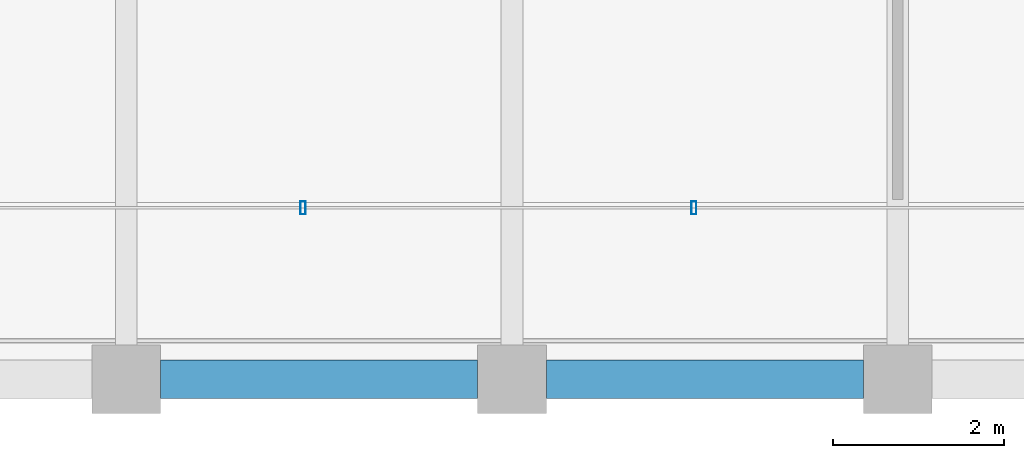
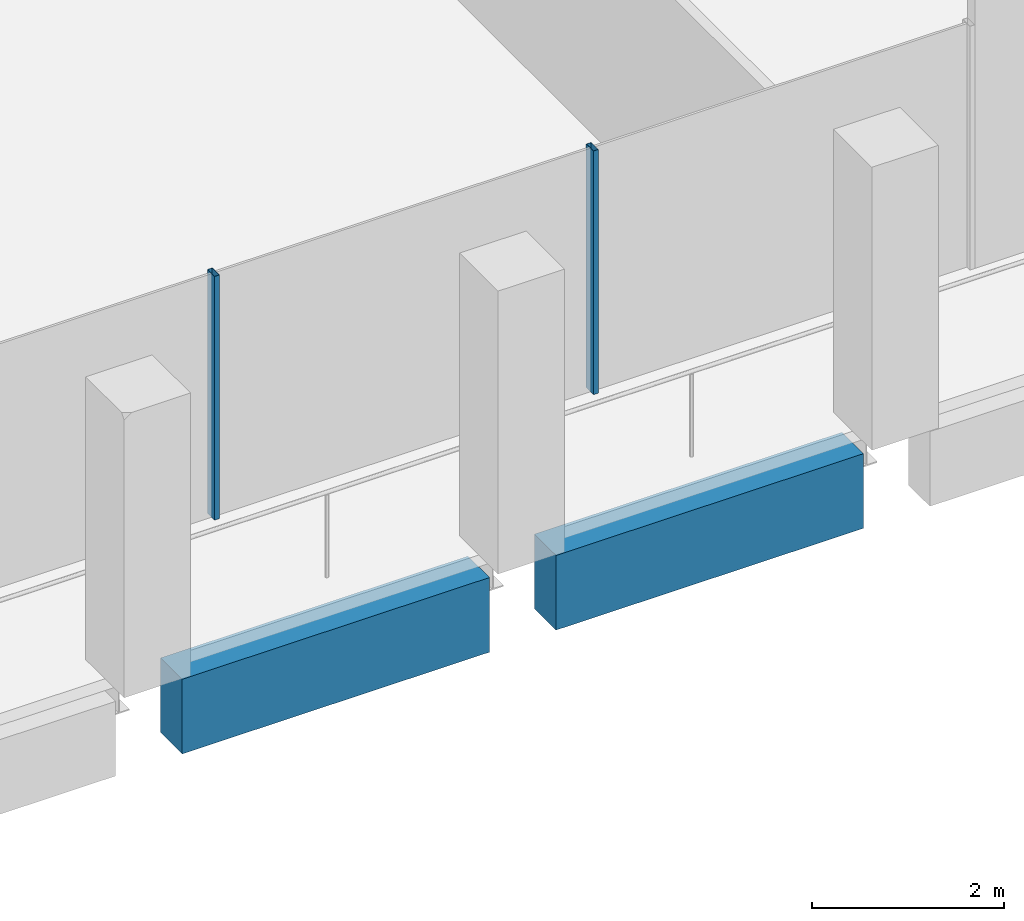
# One storey, part 3 of 30: 2 beams, 2 members, 1 element without a shape of its own.
"""IFC4 building model written with IfcOpenShell, lengths in metres."""

from ifc_helpers import new_model, si_unit, direction, frame, origin, origin_2d, place, context, subcontext, project, spatial, rectangle, hollow_rectangle, extrude, material, material_profile, profile_set, type_object, element, aggregate, save


model = new_model("IFC4")

# Units and contexts
model_context = context("Model", 3, precision=1e-05, world=origin(), true_north=direction((0.0, 1.0)))
body_context = subcontext(model_context, "Body", "Model", "MODEL_VIEW")
ifc_project = project(units=[si_unit("LENGTHUNIT", "METRE"), si_unit("AREAUNIT", "SQUARE_METRE"), si_unit("VOLUMEUNIT", "CUBIC_METRE"), si_unit("PLANEANGLEUNIT", "RADIAN"), si_unit("MASSUNIT", "GRAM", prefix="KILO")], contexts=[model_context])

# Site, building, storey
site_placement = place(None, origin())
site = spatial("IfcSite", under=ifc_project, at=site_placement, CompositionType="ELEMENT")
building_placement = place(site_placement, origin())
building = spatial("IfcBuilding", under=site, at=building_placement, Name="Altepetl Exchange Towers", CompositionType="ELEMENT")
storey_placement = place(building_placement, frame((0.0, 0.0, 238.800048828125)))
storey = spatial("IfcBuildingStorey", under=building, at=storey_placement, Name="L61", CompositionType="ELEMENT", Elevation=238.800048828125)

# Curtain wall, members
ifc_material_1 = material(Name="Aluminium 6063-T6 glazing", Category="aluminium")
curtain_wall_type = type_object("IfcCurtainWallType", Name="Loggia glazing system", PredefinedType="NOTDEFINED", material=ifc_material_1)
curtain_wall_placement = place(storey_placement, origin())
curtain_wall = element("IfcCurtainWall", 1, at=curtain_wall_placement, inside=storey, type_object=curtain_wall_type, Name="CW1 run", PredefinedType="NOTDEFINED")
ifc_material_2 = material(Name="Aluminium 6063-T6", Category="aluminium")
ifc_material_profile_1 = material_profile(ifc_material_2, hollow_rectangle(XDim=0.06005859375, YDim=0.14990234375, WallThickness=0.0029296875, at=origin_2d()), Name="Mullion 60x150 aluminium")
ifc_profile_set_1 = profile_set([ifc_material_profile_1], Name="Aluminium 6063-T6")
member_type = type_object("IfcMemberType", Name="Mullion 60x150 aluminium", PredefinedType="MULLION", material=ifc_profile_set_1)
member_1_placement = place(storey_placement, frame((38.060791015625, 29.0, 0.0)))
member_1 = element("IfcMember", 2, at=member_1_placement, type_object=member_type, Name="MU1 mullion", PredefinedType="MULLION", context=body_context, shape_type="SweptSolid", body=[
    extrude(hollow_rectangle(XDim=0.06005859375, YDim=0.14990234375, WallThickness=0.0029296875, at=origin_2d()), origin(), (0.0, 0.0, 1.0), 3.099853515625),
])
member_2_placement = place(storey_placement, frame((42.621337890625, 29.0, 0.0)))
member_2 = element("IfcMember", 3, at=member_2_placement, type_object=member_type, Name="MU1 mullion", PredefinedType="MULLION", context=body_context, shape_type="SweptSolid", body=[
    extrude(hollow_rectangle(XDim=0.06005859375, YDim=0.14990234375, WallThickness=0.0029296875, at=origin_2d()), origin(), (0.0, 0.0, 1.0), 3.099853515625),
])
aggregate(curtain_wall, [member_1, member_2])

# Beams
ifc_material_3 = material(Name="Concrete C50/60 precast with cantera blanca facing", Category="concrete")
ifc_material_profile_2 = material_profile(ifc_material_3, rectangle(XDim=0.449951171875, YDim=0.949951171875, at=origin_2d()), Name="450 x 950")
ifc_profile_set_2 = profile_set([ifc_material_profile_2], Name="Concrete C50/60 precast with cantera blanca facing")
beam_type = type_object("IfcBeamType", Name="Spandrel beam 450x950 cantera blanca", PredefinedType="SPANDREL", material=ifc_profile_set_2)
for number, where, z_axis, x_axis, name in (
    (4, (36.39990234375, 27.0, -0.625), (1.0, 0.0, 0.0), (0.0, 1.0, 0.0), "sp:A:L61:001"),
    (5, (40.89990234375, 27.0, -0.625), (1.0, 0.0, 0.0), (0.0, 1.0, 0.0), "sp:A:L61:002"),
):
    element("IfcBeam", number, at=place(storey_placement, frame(where, z_axis=z_axis, x_axis=x_axis)), inside=storey, type_object=beam_type, Name=name, PredefinedType="SPANDREL", context=body_context, shape_type="SweptSolid", body=[
        extrude(rectangle(XDim=0.449951171875, YDim=0.949951171875, at=origin_2d()), origin(), (0.0, 0.0, 1.0), 3.7001953125),
    ])

save(model, "model.ifc")
